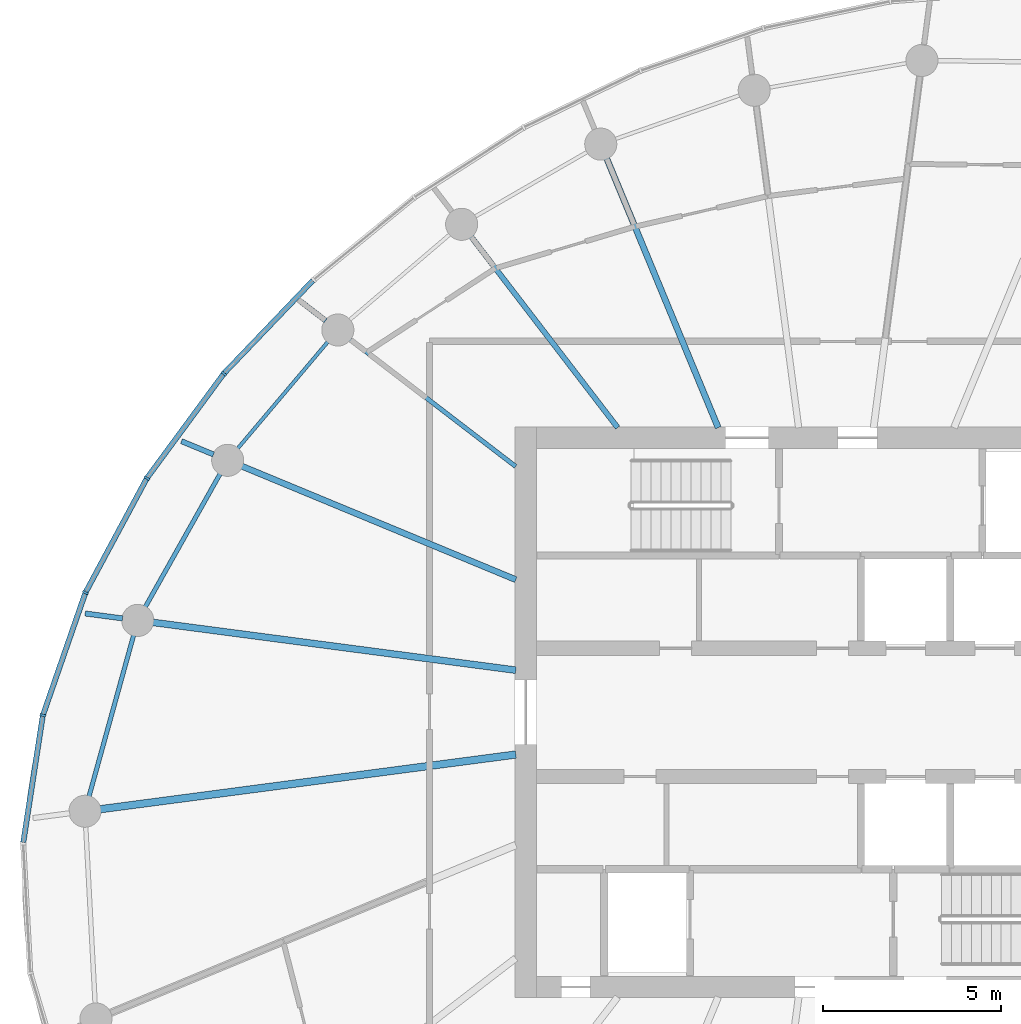
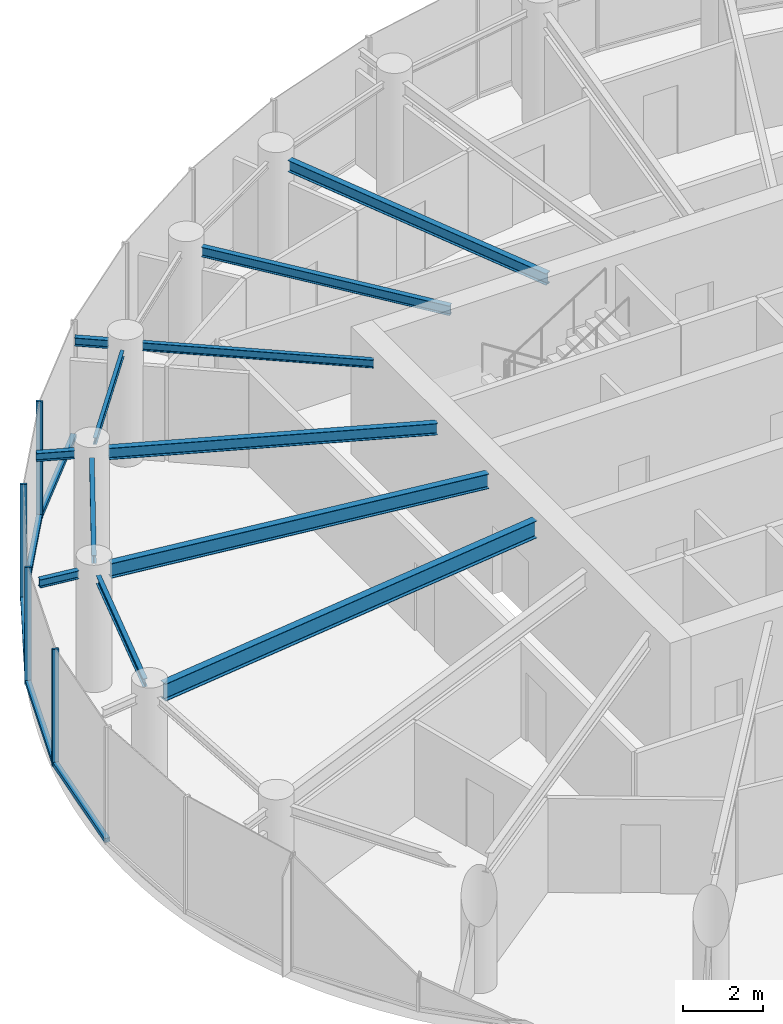
# One storey, part 4 of 14: 12 beams, 9 members, 2 elements without a shape of their own.
"""IFC4 building model written with IfcOpenShell, lengths in metres."""

from ifc_helpers import new_model, si_unit, direction, frame, origin, origin_2d, place, context, subcontext, project, spatial, rectangle, i_section, extrude, source, transform, mapped, material, layer, layer_set, material_profile, profile_set, type_object, element, aggregate, save


model = new_model("IFC4")

# Units and contexts
model_context = context("Model", 3, precision=1e-05, world=origin(), true_north=direction((0.0, 1.0)))
body_context = subcontext(model_context, "Body", "Model", "MODEL_VIEW")
ifc_project = project(units=[si_unit("LENGTHUNIT", "METRE"), si_unit("AREAUNIT", "SQUARE_METRE"), si_unit("VOLUMEUNIT", "CUBIC_METRE"), si_unit("PLANEANGLEUNIT", "RADIAN"), si_unit("MASSUNIT", "GRAM", prefix="KILO")], contexts=[model_context])

# Site, building, storey
site_placement = place(None, origin())
site = spatial("IfcSite", under=ifc_project, at=site_placement, CompositionType="ELEMENT")
building_placement = place(site_placement, origin())
building = spatial("IfcBuilding", under=site, at=building_placement, Name="Spindrift Exchange Tower", CompositionType="ELEMENT")
storey_placement = place(building_placement, frame((0.0, 0.0, 207.199951171875)))
storey = spatial("IfcBuildingStorey", under=building, at=storey_placement, Name="L50", CompositionType="ELEMENT", Elevation=207.199951171875)

# Beams
ifc_material_1 = material(Name="Steel Grade 300", Category="steel")
ifc_material_profile_1 = material_profile(ifc_material_1, i_section(OverallWidth=0.208984375, OverallDepth=0.528076171875, WebThickness=0.009521484375, FlangeThickness=0.01318359375, FilletRadius=0.013916015625, at=origin_2d()), Name="530UB82.0")
ifc_profile_set_1 = profile_set([ifc_material_profile_1], Name="Steel Grade 300")
beam_type_1 = type_object("IfcBeamType", Name="Floor Beam 530UB82.0 Steel Grade 300", PredefinedType="BEAM", material=ifc_profile_set_1)
shared_shape_1 = source(origin(), body_context, "Body", "SweptSolid", [
    extrude(i_section(OverallWidth=0.208984375, OverallDepth=0.528076171875, WebThickness=0.009521484375, FlangeThickness=0.01318359375, FilletRadius=0.013916015625, at=origin_2d()), origin(), (0.0, 0.0, 1.0), 11.75634765625),
])
beam_1_placement = place(storey_placement, frame((43.019775390625, 46.817626953125, 3.316162109375), z_axis=(-0.991445811455, -0.13051897543, 0.0), x_axis=(0.13051897543, -0.991445811455, 0.0)))
element("IfcBeam", 1, at=beam_1_placement, inside=storey, type_object=beam_type_1, Name="L50 radial beam R13A", PredefinedType="BEAM", context=body_context, shape_type="MappedRepresentation", body=[
    mapped(shared_shape_1, transform((0.0, 0.0, 0.0), scale=1.0)),
])
ifc_material_profile_2 = material_profile(ifc_material_1, i_section(OverallWidth=0.1708984375, OverallDepth=0.35205078125, WebThickness=0.0068359375, FlangeThickness=0.009765625, FilletRadius=0.013916015625, at=origin_2d()), Name="360UB44.7")
ifc_profile_set_2 = profile_set([ifc_material_profile_2], Name="Steel Grade 300")
beam_type_2 = type_object("IfcBeamType", Name="Floor Beam 360UB44.7 Steel Grade 300", PredefinedType="BEAM", material=ifc_profile_set_2)
shared_shape_2 = source(origin(), body_context, "Body", "SweptSolid", [
    extrude(i_section(OverallWidth=0.1708984375, OverallDepth=0.35205078125, WebThickness=0.0068359375, FlangeThickness=0.009765625, FilletRadius=0.013916015625, at=origin_2d()), origin(), (0.0, 0.0, 1.0), 8.1748046875),
])
beam_2_placement = place(storey_placement, frame((48.69384765625, 55.9814453125, 3.404052734375), z_axis=(-0.382655117626, 0.923891260352, 0.0), x_axis=(-0.923891260352, -0.382655117626, 0.0)))
element("IfcBeam", 2, at=beam_2_placement, inside=storey, type_object=beam_type_2, Name="L50 radial beam R08A", PredefinedType="BEAM", context=body_context, shape_type="MappedRepresentation", body=[
    mapped(shared_shape_2, transform((0.0, 0.0, 0.0), scale=1.0)),
])
ifc_material_profile_3 = material_profile(ifc_material_1, i_section(OverallWidth=0.14892578125, OverallDepth=0.298095703125, WebThickness=0.005615234375, FlangeThickness=0.008056640625, FilletRadius=0.012939453125, at=origin_2d()), Name="310UB32.0")
ifc_profile_set_3 = profile_set([ifc_material_profile_3], Name="Steel Grade 300")
beam_type_3 = type_object("IfcBeamType", Name="Floor Beam 310UB32.0 Steel Grade 300", PredefinedType="BEAM", material=ifc_profile_set_3)
shared_shape_3 = source(origin(), body_context, "Body", "SweptSolid", [
    extrude(i_section(OverallWidth=0.14892578125, OverallDepth=0.298095703125, WebThickness=0.005615234375, FlangeThickness=0.008056640625, FilletRadius=0.012939453125, at=origin_2d()), origin(), (0.0, 0.0, 1.0), 6.753173828125),
])
beam_3_placement = place(storey_placement, frame((45.87353515625, 55.984130859375, 3.43115234375), z_axis=(-0.608761639459, 0.793353178807, 0.0), x_axis=(-0.793353178807, -0.608761639459, 0.0)))
element("IfcBeam", 3, at=beam_3_placement, inside=storey, type_object=beam_type_3, Name="L50 radial beam R09A", PredefinedType="BEAM", context=body_context, shape_type="MappedRepresentation", body=[
    mapped(shared_shape_3, transform((0.0, 0.0, 0.0), scale=1.0)),
])
ifc_material_profile_4 = material_profile(ifc_material_1, i_section(OverallWidth=0.1240234375, OverallDepth=0.248046875, WebThickness=0.0048828125, FlangeThickness=0.008056640625, FilletRadius=0.011962890625, at=origin_2d()), Name="250UB25.7")
ifc_profile_set_4 = profile_set([ifc_material_profile_4], Name="Steel Grade 300")
beam_type_4 = type_object("IfcBeamType", Name="Floor Beam 250UB25.7 Steel Grade 300", PredefinedType="BEAM", material=ifc_profile_set_4)
shared_shape_4 = source(origin(), body_context, "Body", "SweptSolid", [
    extrude(i_section(OverallWidth=0.1240234375, OverallDepth=0.248046875, WebThickness=0.0048828125, FlangeThickness=0.008056640625, FilletRadius=0.011962890625, at=origin_2d()), origin(), (0.0, 0.0, 1.0), 5.855712890625),
])
beam_4_placement = place(storey_placement, frame((43.015869140625, 54.893798828125, 3.4560546875), z_axis=(-0.793362708479, 0.608749219954, 0.0), x_axis=(-0.608749219954, -0.793362708479, 0.0)))
element("IfcBeam", 4, at=beam_4_placement, inside=storey, type_object=beam_type_4, Name="L50 radial beam R10A", PredefinedType="BEAM", context=body_context, shape_type="MappedRepresentation", body=[
    mapped(shared_shape_4, transform((0.0, 0.0, 0.0), scale=1.0)),
])
shared_shape_5 = source(origin(), body_context, "Body", "SweptSolid", [
    extrude(i_section(OverallWidth=0.1708984375, OverallDepth=0.35205078125, WebThickness=0.0068359375, FlangeThickness=0.009765625, FilletRadius=0.013916015625, at=origin_2d()), origin(), (0.0, 0.0, 1.0), 8.3134765625),
])
beam_5_placement = place(storey_placement, frame((43.0185546875, 51.72021484375, 3.404052734375), z_axis=(-0.923881179957, 0.382679455055, 0.0), x_axis=(-0.382679455055, -0.923881179957, 0.0)))
element("IfcBeam", 5, at=beam_5_placement, inside=storey, type_object=beam_type_2, Name="L50 radial beam R11A", PredefinedType="BEAM", context=body_context, shape_type="MappedRepresentation", body=[
    mapped(shared_shape_5, transform((0.0, 0.0, 0.0), scale=1.0)),
])
ifc_material_profile_5 = material_profile(ifc_material_1, i_section(OverallWidth=0.18994140625, OverallDepth=0.4541015625, WebThickness=0.008544921875, FlangeThickness=0.0126953125, FilletRadius=0.013916015625, at=origin_2d()), Name="460UB67.1")
ifc_profile_set_5 = profile_set([ifc_material_profile_5], Name="Steel Grade 300")
beam_type_5 = type_object("IfcBeamType", Name="Floor Beam 460UB67.1 Steel Grade 300", PredefinedType="BEAM", material=ifc_profile_set_5)
shared_shape_6 = source(origin(), body_context, "Body", "SweptSolid", [
    extrude(i_section(OverallWidth=0.18994140625, OverallDepth=0.4541015625, WebThickness=0.008544921875, FlangeThickness=0.0126953125, FilletRadius=0.013916015625, at=origin_2d()), origin(), (0.0, 0.0, 1.0), 10.262451171875),
])
beam_6_placement = place(storey_placement, frame((43.019775390625, 49.182373046875, 3.35302734375), z_axis=(-0.991446763371, 0.130511744304, 0.0), x_axis=(-0.130511744304, -0.991446763371, 0.0)))
element("IfcBeam", 6, at=beam_6_placement, inside=storey, type_object=beam_type_5, Name="L50 radial beam R12A", PredefinedType="BEAM", context=body_context, shape_type="MappedRepresentation", body=[
    mapped(shared_shape_6, transform((0.0, 0.0, 0.0), scale=1.0)),
])
ifc_material_profile_6 = material_profile(ifc_material_1, i_section(OverallWidth=0.09912109375, OverallDepth=0.197998046875, WebThickness=0.00439453125, FlangeThickness=0.007080078125, FilletRadius=0.010986328125, at=origin_2d()), Name="200UB18.2")
ifc_profile_set_6 = profile_set([ifc_material_profile_6], Name="Steel Grade 300")
beam_type_6 = type_object("IfcBeamType", Name="Edge Beam 200UB18.2 Steel Grade 300", PredefinedType="SPANDREL", material=ifc_profile_set_6)
shared_shape_7 = source(origin(), body_context, "Body", "SweptSolid", [
    extrude(i_section(OverallWidth=0.09912109375, OverallDepth=0.197998046875, WebThickness=0.00439453125, FlangeThickness=0.007080078125, FilletRadius=0.010986328125, at=origin_2d()), origin(), (0.0, 0.0, 1.0), 3.92431640625),
])
beam_7_placement = place(storey_placement, frame((37.75146484375, 58.391845703125, 3.48095703125), z_axis=(-0.645498720032, -0.763761351757, 0.0), x_axis=(0.763761351757, -0.645498720032, 0.0)))
element("IfcBeam", 7, at=beam_7_placement, inside=storey, type_object=beam_type_6, Name="L50 edge beam E10", PredefinedType="SPANDREL", context=body_context, shape_type="MappedRepresentation", body=[
    mapped(shared_shape_7, transform((0.0, 0.0, 0.0), scale=1.0)),
])
ifc_material_profile_7 = material_profile(ifc_material_1, i_section(OverallWidth=0.1240234375, OverallDepth=0.248046875, WebThickness=0.0048828125, FlangeThickness=0.008056640625, FilletRadius=0.011962890625, at=origin_2d()), Name="250UB25.7")
ifc_profile_set_7 = profile_set([ifc_material_profile_7], Name="Steel Grade 300")
beam_type_7 = type_object("IfcBeamType", Name="Edge Beam 250UB25.7 Steel Grade 300", PredefinedType="SPANDREL", material=ifc_profile_set_7)
shared_shape_8 = source(origin(), body_context, "Body", "SweptSolid", [
    extrude(i_section(OverallWidth=0.1240234375, OverallDepth=0.248046875, WebThickness=0.0048828125, FlangeThickness=0.008056640625, FilletRadius=0.011962890625, at=origin_2d()), origin(), (0.0, 0.0, 1.0), 4.2880859375),
])
beam_8_placement = place(storey_placement, frame((34.72998046875, 54.69140625, 3.4560546875), z_axis=(-0.489804347673, -0.871832381253, 0.0), x_axis=(0.871832381253, -0.489804347673, 0.0)))
element("IfcBeam", 8, at=beam_8_placement, inside=storey, type_object=beam_type_7, Name="L50 edge beam E11", PredefinedType="SPANDREL", context=body_context, shape_type="MappedRepresentation", body=[
    mapped(shared_shape_8, transform((0.0, 0.0, 0.0), scale=1.0)),
])
shared_shape_9 = source(origin(), body_context, "Body", "SweptSolid", [
    extrude(i_section(OverallWidth=0.1240234375, OverallDepth=0.248046875, WebThickness=0.0048828125, FlangeThickness=0.008056640625, FilletRadius=0.011962890625, at=origin_2d()), origin(), (0.0, 0.0, 1.0), 4.69189453125),
])
beam_9_placement = place(storey_placement, frame((32.30419921875, 50.16357421875, 3.4560546875), z_axis=(-0.266774248618, -0.963759046792, 0.0), x_axis=(0.963759046792, -0.266774248618, 0.0)))
element("IfcBeam", 9, at=beam_9_placement, inside=storey, type_object=beam_type_7, Name="L50 edge beam E12", PredefinedType="SPANDREL", context=body_context, shape_type="MappedRepresentation", body=[
    mapped(shared_shape_9, transform((0.0, 0.0, 0.0), scale=1.0)),
])
ifc_material_profile_8 = material_profile(ifc_material_1, i_section(OverallWidth=0.14599609375, OverallDepth=0.251953125, WebThickness=0.006103515625, FlangeThickness=0.008544921875, FilletRadius=0.011962890625, at=origin_2d()), Name="250UB31.4")
ifc_profile_set_8 = profile_set([ifc_material_profile_8], Name="Steel Grade 300")
beam_type_8 = type_object("IfcBeamType", Name="Cantilever Beam 250UB31.4 Steel Grade 300", PredefinedType="BEAM", material=ifc_profile_set_8)
shared_shape_10 = source(origin(), body_context, "Body", "SweptSolid", [
    extrude(i_section(OverallWidth=0.14599609375, OverallDepth=0.251953125, WebThickness=0.006103515625, FlangeThickness=0.008544921875, FilletRadius=0.011962890625, at=origin_2d()), origin(), (0.0, 0.0, 1.0), 0.850341796875),
])
beam_10_placement = place(storey_placement, frame((37.68798828125, 58.982177734375, 3.4541015625), z_axis=(-0.793476968481, 0.608600279732, 0.0), x_axis=(-0.608600279732, -0.793476968481, 0.0)))
element("IfcBeam", 10, at=beam_10_placement, inside=storey, type_object=beam_type_8, Name="L50 cantilever beam R10T", PredefinedType="BEAM", context=body_context, shape_type="MappedRepresentation", body=[
    mapped(shared_shape_10, transform((0.0, 0.0, 0.0), scale=1.0)),
])
shared_shape_11 = source(origin(), body_context, "Body", "SweptSolid", [
    extrude(i_section(OverallWidth=0.14599609375, OverallDepth=0.251953125, WebThickness=0.006103515625, FlangeThickness=0.008544921875, FilletRadius=0.011962890625, at=origin_2d()), origin(), (0.0, 0.0, 1.0), 0.97412109375),
])
beam_11_placement = place(storey_placement, frame((34.543212890625, 55.230712890625, 3.4541015625), z_axis=(-0.923861027853, 0.382728103508, 0.0), x_axis=(-0.382728103508, -0.923861027853, 0.0)))
element("IfcBeam", 11, at=beam_11_placement, inside=storey, type_object=beam_type_8, Name="L50 cantilever beam R11T", PredefinedType="BEAM", context=body_context, shape_type="MappedRepresentation", body=[
    mapped(shared_shape_11, transform((0.0, 0.0, 0.0), scale=1.0)),
])
shared_shape_12 = source(origin(), body_context, "Body", "SweptSolid", [
    extrude(i_section(OverallWidth=0.14599609375, OverallDepth=0.251953125, WebThickness=0.006103515625, FlangeThickness=0.008544921875, FilletRadius=0.011962890625, at=origin_2d()), origin(), (0.0, 0.0, 1.0), 1.058837890625),
])
beam_12_placement = place(storey_placement, frame((31.99267578125, 50.634033203125, 3.4541015625), z_axis=(-0.991448016129, 0.130502227239, 0.0), x_axis=(-0.130502227239, -0.991448016129, 0.0)))
element("IfcBeam", 12, at=beam_12_placement, inside=storey, type_object=beam_type_8, Name="L50 cantilever beam R12T", PredefinedType="BEAM", context=body_context, shape_type="MappedRepresentation", body=[
    mapped(shared_shape_12, transform((0.0, 0.0, 0.0), scale=1.0)),
])

# Curtain wall, member
ifc_material_2 = material(Name="Fritted laminated glass with bronze frame", Category="glass")
ifc_layer = layer(ifc_material_2, 0.169921875)
ifc_layer_set = layer_set([ifc_layer], Name="ZONE 4 BRONZE FRITTED WALL")
curtain_wall_type = type_object("IfcCurtainWallType", Name="ZONE 4 BRONZE FRITTED WALL", PredefinedType="NOTDEFINED", material=ifc_layer_set)
curtain_wall_1_placement = place(storey_placement, origin())
curtain_wall_1 = element("IfcCurtainWall", 13, at=curtain_wall_1_placement, inside=storey, type_object=curtain_wall_type, Name="L50 Zone 4 Bronze Fritted Wall run 3", PredefinedType="NOTDEFINED")
ifc_material_3 = material(Name="Bronze anodised aluminium", Category="aluminium")
ifc_material_profile_9 = material_profile(ifc_material_3, rectangle(XDim=0.14990234375, YDim=0.125, at=origin_2d()), Name="ZONE 4 BRONZE FRITTED WALL TRANSOM 150X125")
ifc_profile_set_9 = profile_set([ifc_material_profile_9], Name="Bronze anodised aluminium")
member_type_1 = type_object("IfcMemberType", Name="ZONE 4 BRONZE FRITTED WALL TRANSOM 150X125", PredefinedType="USERDEFINED", material=ifc_profile_set_9)
shared_shape_13 = source(origin(), body_context, "Body", "SweptSolid", [
    extrude(rectangle(XDim=0.14990234375, YDim=0.125, at=origin_2d()), origin(), (0.0, 0.0, 1.0), 3.5771484375),
])
member_1_placement = place(storey_placement, frame((34.812255859375, 57.472900390625, 0.0625), z_axis=(-0.592460803811, -0.805599277524, 0.0), x_axis=(0.805599277524, -0.592460803811, 0.0)))
member_1 = element("IfcMember", 14, at=member_1_placement, type_object=member_type_1, Name="L50 transom CW-4.13", ObjectType="TRANSOM", PredefinedType="USERDEFINED", context=body_context, shape_type="MappedRepresentation", body=[
    mapped(shared_shape_13, transform((0.0, 0.0, 0.0), scale=1.0)),
])

curtain_wall_2_placement = place(storey_placement, origin())
curtain_wall_2 = element("IfcCurtainWall", 15, at=curtain_wall_2_placement, inside=storey, type_object=curtain_wall_type, Name="L50 Zone 4 Bronze Fritted Wall run 2", PredefinedType="NOTDEFINED")
shared_shape_14 = source(origin(), body_context, "Body", "SweptSolid", [
    extrude(rectangle(XDim=0.14990234375, YDim=0.125, at=origin_2d()), origin(), (0.0, 0.0, 1.0), 3.577392578125),
])
member_2_placement = place(storey_placement, frame((37.327392578125, 60.107177734375, 0.0625), z_axis=(-0.691376026942, -0.722495113734, 0.0), x_axis=(0.722495113734, -0.691376026942, 0.0)))
member_2 = element("IfcMember", 16, at=member_2_placement, type_object=member_type_1, Name="L50 transom CW-4.12", ObjectType="TRANSOM", PredefinedType="USERDEFINED", context=body_context, shape_type="MappedRepresentation", body=[
    mapped(shared_shape_14, transform((0.0, 0.0, 0.0), scale=1.0)),
])
aggregate(curtain_wall_2, [member_2])

# Member
ifc_material_profile_10 = material_profile(ifc_material_3, rectangle(XDim=0.06494140625, YDim=0.169921875, at=origin_2d()), Name="ZONE 4 BRONZE FRITTED WALL MULLION 65X170")
ifc_profile_set_10 = profile_set([ifc_material_profile_10], Name="Bronze anodised aluminium")
member_type_2 = type_object("IfcMemberType", Name="ZONE 4 BRONZE FRITTED WALL MULLION 65X170", PredefinedType="MULLION", material=ifc_profile_set_10)
shared_shape_15 = source(origin(), body_context, "Body", "SweptSolid", [
    extrude(rectangle(XDim=0.06494140625, YDim=0.169921875, at=origin_2d()), origin(), (0.0, 0.0, 1.0), 3.580078125),
])
member_3_placement = place(storey_placement, frame((34.83154296875, 57.4990234375, 0.0), z_axis=(0.0, 0.0, 1.0), x_axis=(-0.643250176119, -0.765656065687, 0.0)))
member_3 = element("IfcMember", 17, at=member_3_placement, type_object=member_type_2, Name="L50 mullion CW-4.13", PredefinedType="MULLION", context=body_context, shape_type="MappedRepresentation", body=[
    mapped(shared_shape_15, transform((0.0, 0.0, 0.0), scale=1.0)),
])

member_4_placement = place(storey_placement, frame((32.673583984375, 54.564697265625, 0.0), z_axis=(0.0, 0.0, 1.0), x_axis=(-0.534026491919, -0.845467743872, 0.0)))
member_4 = element("IfcMember", 18, at=member_4_placement, type_object=member_type_2, Name="L50 mullion CW-4.14", PredefinedType="MULLION", context=body_context, shape_type="MappedRepresentation", body=[
    mapped(shared_shape_15, transform((0.0, 0.0, 0.0), scale=1.0)),
])

member_5_placement = place(storey_placement, frame((30.951416015625, 51.356201171875, 0.0), z_axis=(0.0, 0.0, 1.0), x_axis=(-0.401635379489, -0.915799662559, 0.0)))
member_5 = element("IfcMember", 19, at=member_5_placement, type_object=member_type_2, Name="L50 mullion CW-4.15", PredefinedType="MULLION", context=body_context, shape_type="MappedRepresentation", body=[
    mapped(shared_shape_15, transform((0.0, 0.0, 0.0), scale=1.0)),
])

member_6_placement = place(storey_placement, frame((29.758056640625, 47.9169921875, 0.0), z_axis=(0.0, 0.0, 1.0), x_axis=(-0.241021868361, -0.970519685, 0.0)))
member_6 = element("IfcMember", 20, at=member_6_placement, type_object=member_type_2, Name="L50 mullion CW-4.16", PredefinedType="MULLION", context=body_context, shape_type="MappedRepresentation", body=[
    mapped(shared_shape_15, transform((0.0, 0.0, 0.0), scale=1.0)),
])

shared_shape_16 = source(origin(), body_context, "Body", "SweptSolid", [
    extrude(rectangle(XDim=0.14990234375, YDim=0.125, at=origin_2d()), origin(), (0.0, 0.0, 1.0), 3.57568359375),
])
member_7_placement = place(storey_placement, frame((30.94091796875, 51.32568359375, 0.0625), z_axis=(-0.327797576106, -0.944747981791, 0.0), x_axis=(0.944747981791, -0.327797576106, 0.0)))
member_7 = element("IfcMember", 21, at=member_7_placement, type_object=member_type_1, Name="L50 transom CW-4.15", ObjectType="TRANSOM", PredefinedType="USERDEFINED", context=body_context, shape_type="MappedRepresentation", body=[
    mapped(shared_shape_16, transform((0.0, 0.0, 0.0), scale=1.0)),
])

shared_shape_17 = source(origin(), body_context, "Body", "SweptSolid", [
    extrude(rectangle(XDim=0.14990234375, YDim=0.125, at=origin_2d()), origin(), (0.0, 0.0, 1.0), 3.57421875),
])
member_8_placement = place(storey_placement, frame((29.753173828125, 47.884765625, 0.0625), z_axis=(-0.152257365474, -0.988340879787, 0.0), x_axis=(0.988340879787, -0.152257365474, 0.0)))
member_8 = element("IfcMember", 22, at=member_8_placement, type_object=member_type_1, Name="L50 transom CW-4.16", ObjectType="TRANSOM", PredefinedType="USERDEFINED", context=body_context, shape_type="MappedRepresentation", body=[
    mapped(shared_shape_17, transform((0.0, 0.0, 0.0), scale=1.0)),
])

shared_shape_18 = source(origin(), body_context, "Body", "SweptSolid", [
    extrude(rectangle(XDim=0.14990234375, YDim=0.125, at=origin_2d()), origin(), (0.0, 0.0, 1.0), 3.576416015625),
])
member_9_placement = place(storey_placement, frame((32.658447265625, 54.5361328125, 0.0625), z_axis=(-0.472992214718, -0.881066606345, 0.0), x_axis=(0.881066606345, -0.472992214718, 0.0)))
member_9 = element("IfcMember", 23, at=member_9_placement, type_object=member_type_1, Name="L50 transom CW-4.14", ObjectType="TRANSOM", PredefinedType="USERDEFINED", context=body_context, shape_type="MappedRepresentation", body=[
    mapped(shared_shape_18, transform((0.0, 0.0, 0.0), scale=1.0)),
])

aggregate(curtain_wall_1, [member_3, member_1, member_4, member_9, member_5, member_7, member_6, member_8])

save(model, "model.ifc")
